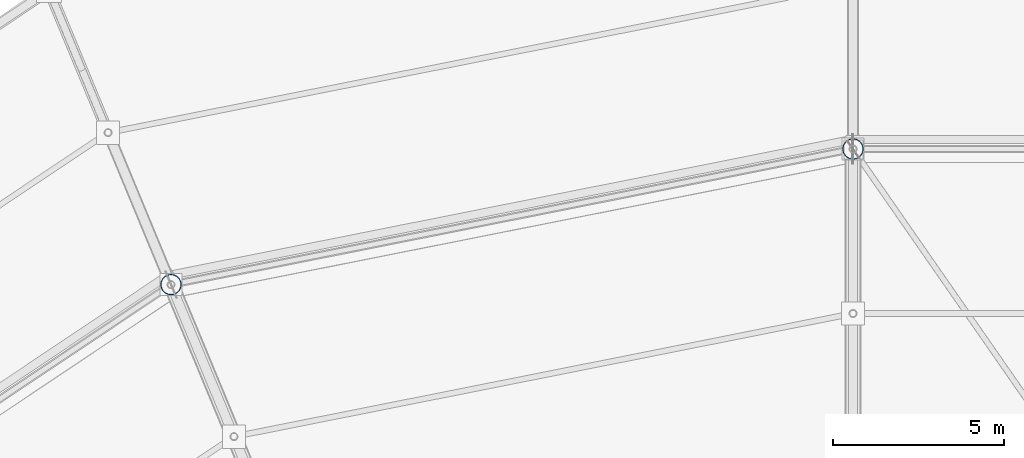
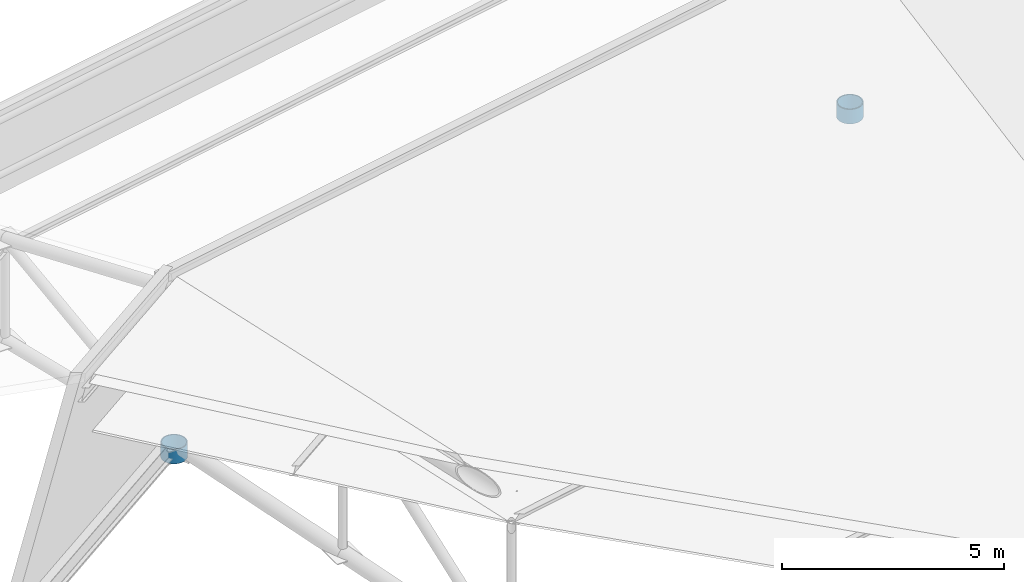
# One storey, part 12 of 146: 2 columns.
"""IFC4 building model written with IfcOpenShell, lengths in metres."""

from ifc_helpers import new_model, si_unit, direction, frame, origin, origin_2d, place, context, subcontext, project, spatial, hollow_circle, extrude, material, material_profile, profile_set, type_object, element, save


model = new_model("IFC4")

# Units and contexts
model_context = context("Model", 3, precision=1e-05, world=origin(), true_north=direction((0.0, 1.0)))
body_context = subcontext(model_context, "Body", "Model", "MODEL_VIEW")
ifc_project = project(units=[si_unit("LENGTHUNIT", "METRE"), si_unit("AREAUNIT", "SQUARE_METRE"), si_unit("VOLUMEUNIT", "CUBIC_METRE"), si_unit("PLANEANGLEUNIT", "RADIAN"), si_unit("MASSUNIT", "GRAM", prefix="KILO")], contexts=[model_context])

# Site, building, storey
site_placement = place(None, origin())
site = spatial("IfcSite", under=ifc_project, at=site_placement, CompositionType="ELEMENT")
building_placement = place(site_placement, origin())
building = spatial("IfcBuilding", under=site, at=building_placement, Name="Candeia Ridge Stadium", CompositionType="ELEMENT")
storey_placement = place(building_placement, frame((0.0, 0.0, 31.800048828125)))
storey = spatial("IfcBuildingStorey", under=building, at=storey_placement, Name="RF", CompositionType="ELEMENT", Elevation=31.800048828125)

# Columns
ifc_material = material(Name="Steel ASTM A572 Grade 50", Category="steel")
ifc_material_profile = material_profile(ifc_material, hollow_circle(Radius=0.304931640625, WallThickness=0.02490234375, at=origin_2d()), Name="CHS610x25", Category="steel")
ifc_profile_set = profile_set([ifc_material_profile], Name="Steel ASTM A572 Grade 50")
column_type = type_object("IfcColumnType", Name="Roof Mast Column CHS610x25", PredefinedType="PILASTER", material=ifc_profile_set)
for number, where, z_axis, x_axis, name in (
    (1, (71.0, 147.0, 0.0), (0.0, 0.0, 1.0), (1.0, 0.0, 0.0), "Roof truss steel mast column BC-OU-07 RF"),
    (2, (51.100341796875, 143.041748046875, 0.0), (0.0, 0.0, 1.0), (1.0, 0.0, 0.0), "Roof truss steel mast column BC-OU-08 RF"),
):
    element("IfcColumn", number, at=place(storey_placement, frame(where, z_axis=z_axis, x_axis=x_axis)), inside=storey, type_object=column_type, Name=name, PredefinedType="PILASTER", context=body_context, shape_type="SweptSolid", body=[
        extrude(hollow_circle(Radius=0.304931640625, WallThickness=0.02490234375, at=origin_2d()), origin(), (0.0, 0.0, 1.0), 0.39990234375),
    ])

save(model, "model.ifc")
